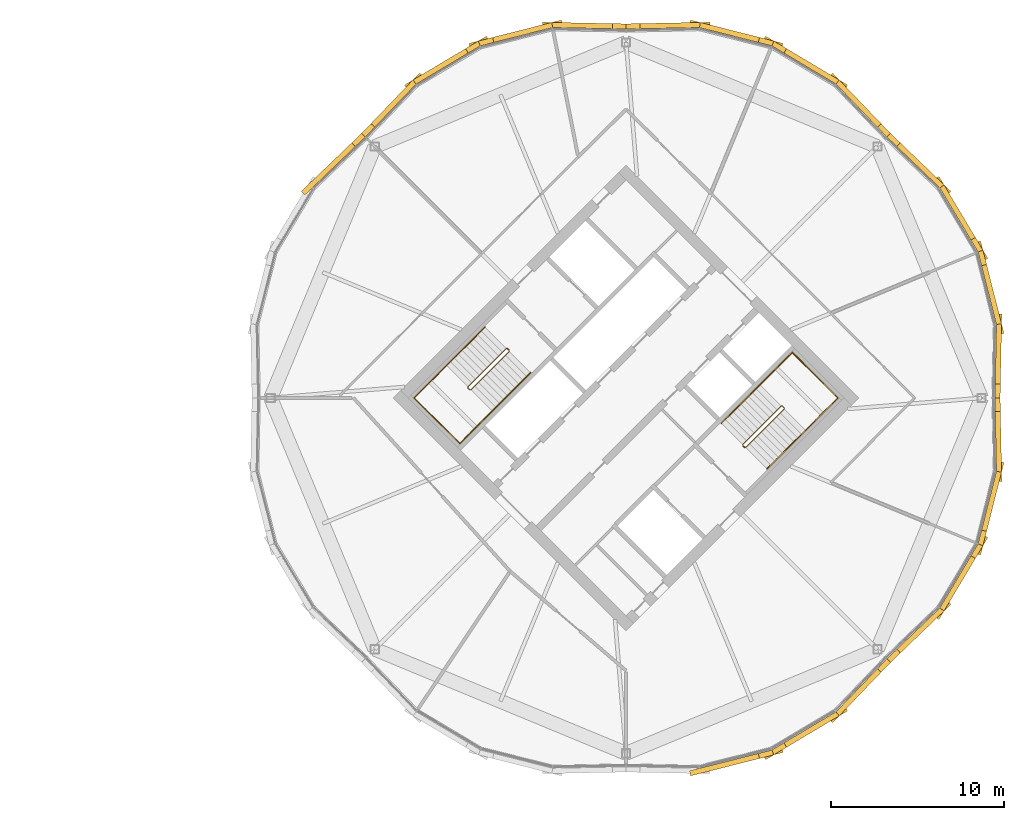
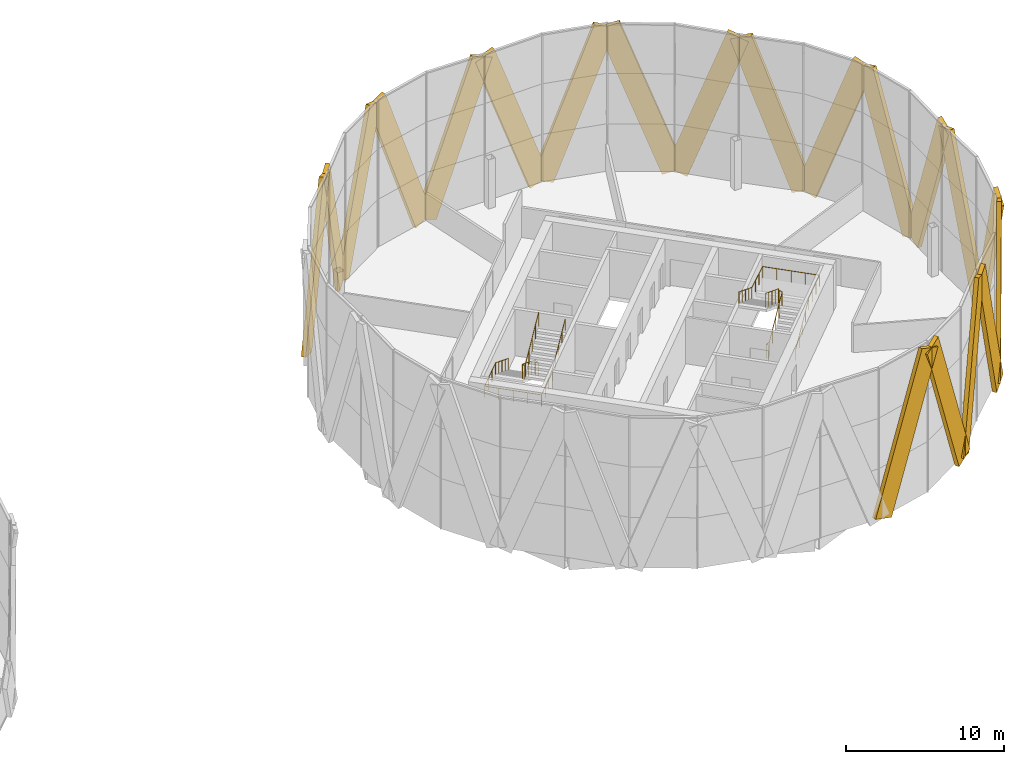
# One storey, part 25 of 25: 20 coverings, 4 railings.
"""IFC4 building model written with IfcOpenShell, lengths in metres."""

from ifc_helpers import new_model, si_unit, direction, frame, origin, origin_2d, place, context, subcontext, project, spatial, rectangle, circle, extrude, material, material_profile, profile_set, type_object, element, save


model = new_model("IFC4")

# Units and contexts
model_context = context("Model", 3, precision=1e-05, world=origin(), true_north=direction((0.0, 1.0)))
body_context = subcontext(model_context, "Body", "Model", "MODEL_VIEW")
ifc_project = project(units=[si_unit("LENGTHUNIT", "METRE"), si_unit("AREAUNIT", "SQUARE_METRE"), si_unit("VOLUMEUNIT", "CUBIC_METRE"), si_unit("PLANEANGLEUNIT", "RADIAN"), si_unit("MASSUNIT", "GRAM", prefix="KILO")], contexts=[model_context])

# Site, building, storey
site_placement = place(None, origin())
site = spatial("IfcSite", under=ifc_project, at=site_placement, CompositionType="ELEMENT")
building_placement = place(site_placement, origin())
building = spatial("IfcBuilding", under=site, at=building_placement, Name="Ogive Gate Towers", CompositionType="ELEMENT")
storey_placement = place(building_placement, frame((0.0, 0.0, 196.800048828125)))
storey = spatial("IfcBuildingStorey", under=building, at=storey_placement, Name="L47", CompositionType="ELEMENT", Elevation=196.800048828125)

# Coverings
ifc_material_1 = material(Name="Pale metal aluminium", Category="aluminium")
ifc_material_profile = material_profile(ifc_material_1, rectangle(XDim=0.300048828125, YDim=1.5, at=origin_2d()), Name="1500 x 300 pale metal aluminium")
ifc_profile_set = profile_set([ifc_material_profile], Name="Pale metal aluminium")
covering_type = type_object("IfcCoveringType", Name="Facade fin 1500 x 300", PredefinedType="CLADDING", material=ifc_profile_set)
covering_1_placement = place(storey_placement, frame((57.532958984375, 4.132568359375, -0.094970703125), z_axis=(-0.006811973686, -0.339942108534, 0.940421692572), x_axis=(0.999799287125, -0.020034606671, 0.0)))
element("IfcCovering", 1, at=covering_1_placement, inside=storey, type_object=covering_type, Name="Facade fin", PredefinedType="CLADDING", context=body_context, shape_type="SweptSolid", body=[
    extrude(rectangle(XDim=0.300048828125, YDim=1.5, at=origin_2d()), origin(), (0.0, 0.0, 1.0), 11.89892578125),
])
for number, where, z_axis, x_axis, name in (
    (2, (57.50439453125, 4.37744140625, -0.091796875), (-0.084441459094, 0.333789709417, 0.938857853923), (-0.969459384841, -0.24525191364, 0.0), "Facade fin"),
    (3, (54.301513671875, 12.110595703125, -0.091796875), (0.176302946418, -0.295730668898, 0.938861354278), (0.858944456599, 0.51206876538, 0.0), "Facade fin"),
):
    element("IfcCovering", number, at=place(storey_placement, frame(where, z_axis=z_axis, x_axis=x_axis)), inside=storey, type_object=covering_type, Name=name, PredefinedType="CLADDING", context=body_context, shape_type="SweptSolid", body=[
        extrude(rectangle(XDim=0.300048828125, YDim=1.5, at=origin_2d()), origin(), (0.0, 0.0, 1.0), 11.911865234375),
    ])
for number, where, z_axis, x_axis, name in (
    (4, (54.148193359375, 12.303955078125, -0.094970703125), (-0.245190839815, 0.235547350717, 0.940424849545), (-0.692783022466, -0.721146090458, 0.0), "Facade fin"),
    (5, (48.303955078125, 18.148193359375, -0.094970703125), (0.235547350717, -0.245190839815, 0.940424849545), (0.721146090458, 0.692783022466, 0.0), "Facade fin"),
):
    element("IfcCovering", number, at=place(storey_placement, frame(where, z_axis=z_axis, x_axis=x_axis)), inside=storey, type_object=covering_type, Name=name, PredefinedType="CLADDING", context=body_context, shape_type="SweptSolid", body=[
        extrude(rectangle(XDim=0.300048828125, YDim=1.5, at=origin_2d()), origin(), (0.0, 0.0, 1.0), 11.89892578125),
    ])
for number, where, z_axis, x_axis, name in (
    (6, (48.110595703125, 18.301513671875, -0.091796875), (-0.295730668898, 0.176302946418, 0.938861354278), (-0.51206876538, -0.858944456599, 0.0), "Facade fin"),
    (7, (40.37744140625, 21.50439453125, -0.091796875), (0.333789709417, -0.084441459094, 0.938857853923), (0.24525191364, 0.969459384841, 0.0), "Facade fin"),
):
    element("IfcCovering", number, at=place(storey_placement, frame(where, z_axis=z_axis, x_axis=x_axis)), inside=storey, type_object=covering_type, Name=name, PredefinedType="CLADDING", context=body_context, shape_type="SweptSolid", body=[
        extrude(rectangle(XDim=0.300048828125, YDim=1.5, at=origin_2d()), origin(), (0.0, 0.0, 1.0), 11.911865234375),
    ])
for number, where, z_axis, x_axis, name in (
    (8, (40.132568359375, 21.532958984375, -0.094970703125), (-0.339942108534, -0.006811973686, 0.940421692572), (0.020034606671, -0.999799287125, 0.0), "Facade fin"),
    (9, (31.867431640625, 21.532958984375, -0.094970703125), (0.339942108534, -0.006811973686, 0.940421692572), (0.020034606671, 0.999799287125, 0.0), "Facade fin"),
):
    element("IfcCovering", number, at=place(storey_placement, frame(where, z_axis=z_axis, x_axis=x_axis)), inside=storey, type_object=covering_type, Name=name, PredefinedType="CLADDING", context=body_context, shape_type="SweptSolid", body=[
        extrude(rectangle(XDim=0.300048828125, YDim=1.5, at=origin_2d()), origin(), (0.0, 0.0, 1.0), 11.89892578125),
    ])
for number, where, z_axis, x_axis, name in (
    (10, (31.62255859375, 21.50439453125, -0.091796875), (-0.333789709417, -0.084441459094, 0.938857853923), (0.24525191364, -0.969459384841, 0.0), "Facade fin"),
    (11, (23.889404296875, 18.301513671875, -0.091796875), (0.295730668898, 0.176302946418, 0.938861354278), (-0.51206876538, 0.858944456599, 0.0), "Facade fin"),
):
    element("IfcCovering", number, at=place(storey_placement, frame(where, z_axis=z_axis, x_axis=x_axis)), inside=storey, type_object=covering_type, Name=name, PredefinedType="CLADDING", context=body_context, shape_type="SweptSolid", body=[
        extrude(rectangle(XDim=0.300048828125, YDim=1.5, at=origin_2d()), origin(), (0.0, 0.0, 1.0), 11.911865234375),
    ])
for number, where, z_axis, x_axis, name in (
    (12, (23.696044921875, 18.148193359375, -0.094970703125), (-0.235547350717, -0.245190839815, 0.940424849545), (0.721146090458, -0.692783022466, 0.0), "Facade fin"),
    (13, (17.851806640625, 12.303955078125, -0.094970703125), (0.245190839815, 0.235547350717, 0.940424849545), (-0.692783022466, 0.721146090458, 0.0), "Facade fin"),
):
    element("IfcCovering", number, at=place(storey_placement, frame(where, z_axis=z_axis, x_axis=x_axis)), inside=storey, type_object=covering_type, Name=name, PredefinedType="CLADDING", context=body_context, shape_type="SweptSolid", body=[
        extrude(rectangle(XDim=0.300048828125, YDim=1.5, at=origin_2d()), origin(), (0.0, 0.0, 1.0), 11.89892578125),
    ])
for number, where, z_axis, x_axis, name in (
    (14, (40.37744140625, -21.50439453125, -0.091796875), (0.333789709417, 0.084441459094, 0.938857853923), (-0.24525191364, 0.969459384841, 0.0), "Facade fin"),
    (15, (48.110595703125, -18.301513671875, -0.091796875), (-0.295730668898, -0.176302946418, 0.938861354278), (0.51206876538, -0.858944456599, 0.0), "Facade fin"),
):
    element("IfcCovering", number, at=place(storey_placement, frame(where, z_axis=z_axis, x_axis=x_axis)), inside=storey, type_object=covering_type, Name=name, PredefinedType="CLADDING", context=body_context, shape_type="SweptSolid", body=[
        extrude(rectangle(XDim=0.300048828125, YDim=1.5, at=origin_2d()), origin(), (0.0, 0.0, 1.0), 11.911865234375),
    ])
for number, where, z_axis, x_axis, name in (
    (16, (48.303955078125, -18.148193359375, -0.094970703125), (0.235547350717, 0.245190839815, 0.940424849545), (-0.721146090458, 0.692783022466, 0.0), "Facade fin"),
    (17, (54.148193359375, -12.303955078125, -0.094970703125), (-0.245190839815, -0.235547350717, 0.940424849545), (0.692783022466, -0.721146090458, 0.0), "Facade fin"),
):
    element("IfcCovering", number, at=place(storey_placement, frame(where, z_axis=z_axis, x_axis=x_axis)), inside=storey, type_object=covering_type, Name=name, PredefinedType="CLADDING", context=body_context, shape_type="SweptSolid", body=[
        extrude(rectangle(XDim=0.300048828125, YDim=1.5, at=origin_2d()), origin(), (0.0, 0.0, 1.0), 11.89892578125),
    ])
for number, where, z_axis, x_axis, name in (
    (18, (54.301513671875, -12.110595703125, -0.091796875), (0.176302946418, 0.295730668898, 0.938861354278), (-0.858944456599, 0.51206876538, 0.0), "Facade fin"),
    (19, (57.50439453125, -4.37744140625, -0.091796875), (-0.084441459094, -0.333789709417, 0.938857853923), (0.969459384841, -0.24525191364, 0.0), "Facade fin"),
):
    element("IfcCovering", number, at=place(storey_placement, frame(where, z_axis=z_axis, x_axis=x_axis)), inside=storey, type_object=covering_type, Name=name, PredefinedType="CLADDING", context=body_context, shape_type="SweptSolid", body=[
        extrude(rectangle(XDim=0.300048828125, YDim=1.5, at=origin_2d()), origin(), (0.0, 0.0, 1.0), 11.911865234375),
    ])
covering_2_placement = place(storey_placement, frame((57.532958984375, -4.132568359375, -0.094970703125), z_axis=(-0.006811973686, 0.339942108534, 0.940421692572), x_axis=(-0.999799287125, -0.020034606671, 0.0)))
element("IfcCovering", 20, at=covering_2_placement, inside=storey, type_object=covering_type, Name="Facade fin", PredefinedType="CLADDING", context=body_context, shape_type="SweptSolid", body=[
    extrude(rectangle(XDim=0.300048828125, YDim=1.5, at=origin_2d()), origin(), (0.0, 0.0, 1.0), 11.89892578125),
])

# Railings
ifc_material_2 = material(Name="Stainless steel", Category="steel")
railing_type_1 = type_object("IfcRailingType", Name="Stair guard 1100", PredefinedType="GUARDRAIL", material=ifc_material_2)
railing_1_placement = place(storey_placement, frame((29.15869140625, 2.8603515625, 0.0)))
element("IfcRailing", 21, at=railing_1_placement, inside=storey, type_object=railing_type_1, Name="L47 ST1 stair guard 1", PredefinedType="GUARDRAIL", context=body_context, shape_type="SweptSolid", body=[
    extrude(circle(Radius=0.02392578125, at=origin_2d()), frame((0.0, 0.0, 1.076171875), z_axis=(0.707106781187, -0.707106781187, 0.0), x_axis=(0.707106781187, 0.707106781187, 0.0)), (0.0, 0.0, 1.0), 0.14501953125),
    extrude(circle(Radius=0.02392578125, at=origin_2d()), frame((0.1025390625, -0.1025390625, 1.076171875), z_axis=(-0.645571447971, 0.382425963537, 0.661050594114), x_axis=(-0.509669330572, -0.860370369942, 0.0)), (0.0, 0.0, 1.0), 0.26806640625),
    extrude(circle(Radius=0.02392578125, at=origin_2d()), frame((-0.070556640625, 0.0, 1.25341796875), z_axis=(-0.61558473135, -0.61558473135, 0.49204763698), x_axis=(0.707106781187, -0.707106781187, 0.0)), (0.0, 0.0, 1.0), 3.602783203125),
    extrude(circle(Radius=0.02392578125, at=origin_2d()), frame((-2.288330078125, -2.2177734375, 3.02587890625), z_axis=(0.0, -1.0, 0.0), x_axis=(1.0, 0.0, 0.0)), (0.0, 0.0, 1.0), 0.07080078125),
    extrude(circle(Radius=0.02392578125, at=origin_2d()), frame((-2.288330078125, -2.28857421875, 3.02587890625), z_axis=(0.707106781187, -0.707106781187, 0.0), x_axis=(0.707106781187, 0.707106781187, 0.0)), (0.0, 0.0, 1.0), 0.14501953125),
    extrude(circle(Radius=0.02392578125, at=origin_2d()), frame((-2.185791015625, -2.39111328125, 3.02587890625), z_axis=(0.369845645421, 0.0, 0.929093213065), x_axis=(0.0, 1.0, 0.0)), (0.0, 0.0, 1.0), 0.190673828125),
    extrude(circle(Radius=0.02392578125, at=origin_2d()), frame((-2.115234375, -2.39111328125, 3.203125), z_axis=(0.61558473135, 0.61558473135, 0.49204763698), x_axis=(-0.707106781187, 0.707106781187, 0.0)), (0.0, 0.0, 1.0), 3.602783203125),
    extrude(circle(Radius=0.02099609375, at=origin_2d()), origin(), (0.0, 0.0, 1.0), 1.052001953125),
    extrude(circle(Radius=0.02099609375, at=origin_2d()), frame((0.1025390625, -0.1025390625, 0.0)), (0.0, 0.0, 1.0), 1.052001953125),
    extrude(circle(Radius=0.02099609375, at=origin_2d()), frame((-0.070556640625, 0.0, 0.17724609375)), (0.0, 0.0, 1.0), 1.052001953125),
    extrude(circle(Radius=0.02099609375, at=origin_2d()), frame((-0.625, -0.554443359375, 0.620361328125)), (0.0, 0.0, 1.0), 1.052001953125),
    extrude(circle(Radius=0.02099609375, at=origin_2d()), frame((-1.179443359375, -1.10888671875, 1.0634765625)), (0.0, 0.0, 1.0), 1.052001953125),
    extrude(circle(Radius=0.02099609375, at=origin_2d()), frame((-1.73388671875, -1.663330078125, 1.5068359375)), (0.0, 0.0, 1.0), 1.052001953125),
    extrude(circle(Radius=0.02099609375, at=origin_2d()), frame((-2.288330078125, -2.2177734375, 1.949951171875)), (0.0, 0.0, 1.0), 1.052001953125),
    extrude(circle(Radius=0.02099609375, at=origin_2d()), frame((-2.288330078125, -2.28857421875, 1.949951171875)), (0.0, 0.0, 1.0), 1.052001953125),
    extrude(circle(Radius=0.02099609375, at=origin_2d()), frame((-2.185791015625, -2.39111328125, 1.949951171875)), (0.0, 0.0, 1.0), 1.052001953125),
    extrude(circle(Radius=0.02099609375, at=origin_2d()), frame((-2.115234375, -2.39111328125, 2.127197265625)), (0.0, 0.0, 1.0), 1.052001953125),
    extrude(circle(Radius=0.02099609375, at=origin_2d()), frame((-1.560791015625, -1.836669921875, 2.5703125)), (0.0, 0.0, 1.0), 1.052001953125),
    extrude(circle(Radius=0.02099609375, at=origin_2d()), frame((-1.00634765625, -1.2822265625, 3.013671875)), (0.0, 0.0, 1.0), 1.052001953125),
    extrude(circle(Radius=0.02099609375, at=origin_2d()), frame((-0.451904296875, -0.727783203125, 3.456787109375)), (0.0, 0.0, 1.0), 1.052001953125),
    extrude(circle(Radius=0.02099609375, at=origin_2d()), frame((0.1025390625, -0.17333984375, 3.89990234375)), (0.0, 0.0, 1.0), 1.052001953125),
])
railing_2_placement = place(storey_placement, frame((42.84130859375, -2.8603515625, 0.0)))
element("IfcRailing", 22, at=railing_2_placement, inside=storey, type_object=railing_type_1, Name="L47 ST2 stair guard 1", PredefinedType="GUARDRAIL", context=body_context, shape_type="SweptSolid", body=[
    extrude(circle(Radius=0.02392578125, at=origin_2d()), frame((0.0, 0.0, 1.076171875), z_axis=(-0.707106781187, 0.707106781187, 0.0), x_axis=(-0.707106781187, -0.707106781187, 0.0)), (0.0, 0.0, 1.0), 0.14501953125),
    extrude(circle(Radius=0.02392578125, at=origin_2d()), frame((-0.1025390625, 0.1025390625, 1.076171875), z_axis=(0.645571447971, -0.382425963537, 0.661050594114), x_axis=(0.509669330572, 0.860370369942, 0.0)), (0.0, 0.0, 1.0), 0.26806640625),
    extrude(circle(Radius=0.02392578125, at=origin_2d()), frame((0.070556640625, 0.0, 1.25341796875), z_axis=(0.61558473135, 0.61558473135, 0.49204763698), x_axis=(-0.707106781187, 0.707106781187, 0.0)), (0.0, 0.0, 1.0), 3.602783203125),
    extrude(circle(Radius=0.02392578125, at=origin_2d()), frame((2.288330078125, 2.2177734375, 3.02587890625), z_axis=(0.0, 1.0, 0.0), x_axis=(-1.0, 0.0, 0.0)), (0.0, 0.0, 1.0), 0.07080078125),
    extrude(circle(Radius=0.02392578125, at=origin_2d()), frame((2.288330078125, 2.28857421875, 3.02587890625), z_axis=(-0.707106781187, 0.707106781187, 0.0), x_axis=(-0.707106781187, -0.707106781187, 0.0)), (0.0, 0.0, 1.0), 0.14501953125),
    extrude(circle(Radius=0.02392578125, at=origin_2d()), frame((2.185791015625, 2.39111328125, 3.02587890625), z_axis=(-0.369845645421, 0.0, 0.929093213065), x_axis=(0.0, -1.0, 0.0)), (0.0, 0.0, 1.0), 0.190673828125),
    extrude(circle(Radius=0.02392578125, at=origin_2d()), frame((2.115234375, 2.39111328125, 3.203125), z_axis=(-0.61558473135, -0.61558473135, 0.49204763698), x_axis=(0.707106781187, -0.707106781187, 0.0)), (0.0, 0.0, 1.0), 3.602783203125),
    extrude(circle(Radius=0.02099609375, at=origin_2d()), origin(), (0.0, 0.0, 1.0), 1.052001953125),
    extrude(circle(Radius=0.02099609375, at=origin_2d()), frame((-0.1025390625, 0.1025390625, 0.0)), (0.0, 0.0, 1.0), 1.052001953125),
    extrude(circle(Radius=0.02099609375, at=origin_2d()), frame((0.070556640625, 0.0, 0.17724609375)), (0.0, 0.0, 1.0), 1.052001953125),
    extrude(circle(Radius=0.02099609375, at=origin_2d()), frame((0.625, 0.554443359375, 0.620361328125)), (0.0, 0.0, 1.0), 1.052001953125),
    extrude(circle(Radius=0.02099609375, at=origin_2d()), frame((1.179443359375, 1.10888671875, 1.0634765625)), (0.0, 0.0, 1.0), 1.052001953125),
    extrude(circle(Radius=0.02099609375, at=origin_2d()), frame((1.73388671875, 1.663330078125, 1.5068359375)), (0.0, 0.0, 1.0), 1.052001953125),
    extrude(circle(Radius=0.02099609375, at=origin_2d()), frame((2.288330078125, 2.2177734375, 1.949951171875)), (0.0, 0.0, 1.0), 1.052001953125),
    extrude(circle(Radius=0.02099609375, at=origin_2d()), frame((2.288330078125, 2.28857421875, 1.949951171875)), (0.0, 0.0, 1.0), 1.052001953125),
    extrude(circle(Radius=0.02099609375, at=origin_2d()), frame((2.185791015625, 2.39111328125, 1.949951171875)), (0.0, 0.0, 1.0), 1.052001953125),
    extrude(circle(Radius=0.02099609375, at=origin_2d()), frame((2.115234375, 2.39111328125, 2.127197265625)), (0.0, 0.0, 1.0), 1.052001953125),
    extrude(circle(Radius=0.02099609375, at=origin_2d()), frame((1.560791015625, 1.836669921875, 2.5703125)), (0.0, 0.0, 1.0), 1.052001953125),
    extrude(circle(Radius=0.02099609375, at=origin_2d()), frame((1.00634765625, 1.2822265625, 3.013671875)), (0.0, 0.0, 1.0), 1.052001953125),
    extrude(circle(Radius=0.02099609375, at=origin_2d()), frame((0.451904296875, 0.727783203125, 3.456787109375)), (0.0, 0.0, 1.0), 1.052001953125),
    extrude(circle(Radius=0.02099609375, at=origin_2d()), frame((-0.1025390625, 0.17333984375, 3.89990234375)), (0.0, 0.0, 1.0), 1.052001953125),
])
railing_type_2 = type_object("IfcRailingType", Name="Stair handrail 900", PredefinedType="HANDRAIL", material=ifc_material_2)
railing_3_placement = place(storey_placement, frame((27.857666015625, 4.090576171875, 0.17724609375)))
element("IfcRailing", 23, at=railing_3_placement, inside=storey, type_object=railing_type_2, Name="L47 ST1 stair handrail 1", PredefinedType="HANDRAIL", context=body_context, shape_type="SweptSolid", body=[
    extrude(circle(Radius=0.02392578125, at=origin_2d()), frame((0.0, 0.0, 0.8759765625), z_axis=(-0.61558473135, -0.61558473135, 0.49204763698), x_axis=(0.707106781187, -0.707106781187, 0.0)), (0.0, 0.0, 1.0), 3.602783203125),
    extrude(circle(Radius=0.02392578125, at=origin_2d()), frame((-2.2177734375, -2.2177734375, 2.6484375), z_axis=(-0.707106781187, -0.707106781187, 0.0), x_axis=(0.707106781187, -0.707106781187, 0.0)), (0.0, 0.0, 1.0), 2.6484375),
    extrude(circle(Radius=0.02392578125, at=origin_2d()), frame((-4.090576171875, -4.090576171875, 2.6484375), z_axis=(0.707106781187, -0.707106781187, 0.0), x_axis=(0.707106781187, 0.707106781187, 0.0)), (0.0, 0.0, 1.0), 3.72509765625),
    extrude(circle(Radius=0.02392578125, at=origin_2d()), frame((-1.45654296875, -6.724609375, 2.6484375), z_axis=(0.705482886452, 0.705574853978, 0.066768423356), x_axis=(-0.70715286629, 0.70706069308, 0.0)), (0.0, 0.0, 1.0), 2.654541015625),
    extrude(circle(Radius=0.02392578125, at=origin_2d()), frame((0.416259765625, -4.8515625, 2.82568359375), z_axis=(0.615610411033, 0.615542642384, 0.4920681632), x_axis=(-0.70706785752, 0.70714570271, 0.0)), (0.0, 0.0, 1.0), 3.6025390625),
    extrude(circle(Radius=0.02099609375, at=origin_2d()), origin(), (0.0, 0.0, 1.0), 0.851806640625),
    extrude(circle(Radius=0.02099609375, at=origin_2d()), frame((-0.554443359375, -0.554443359375, 0.443115234375)), (0.0, 0.0, 1.0), 0.851806640625),
    extrude(circle(Radius=0.02099609375, at=origin_2d()), frame((-1.10888671875, -1.10888671875, 0.88623046875)), (0.0, 0.0, 1.0), 0.851806640625),
    extrude(circle(Radius=0.02099609375, at=origin_2d()), frame((-1.663330078125, -1.663330078125, 1.32958984375)), (0.0, 0.0, 1.0), 0.851806640625),
    extrude(circle(Radius=0.02099609375, at=origin_2d()), frame((-2.2177734375, -2.2177734375, 1.772705078125)), (0.0, 0.0, 1.0), 0.851806640625),
    extrude(circle(Radius=0.02099609375, at=origin_2d()), frame((-2.842041015625, -2.842041015625, 1.772705078125)), (0.0, 0.0, 1.0), 0.851806640625),
    extrude(circle(Radius=0.02099609375, at=origin_2d()), frame((-3.46630859375, -3.46630859375, 1.772705078125)), (0.0, 0.0, 1.0), 0.851806640625),
    extrude(circle(Radius=0.02099609375, at=origin_2d()), frame((-4.090576171875, -4.090576171875, 1.772705078125)), (0.0, 0.0, 1.0), 0.851806640625),
    extrude(circle(Radius=0.02099609375, at=origin_2d()), frame((-3.43212890625, -4.7490234375, 1.772705078125)), (0.0, 0.0, 1.0), 0.851806640625),
    extrude(circle(Radius=0.02099609375, at=origin_2d()), frame((-2.7734375, -5.40771484375, 1.772705078125)), (0.0, 0.0, 1.0), 0.851806640625),
    extrude(circle(Radius=0.02099609375, at=origin_2d()), frame((-2.114990234375, -6.066162109375, 1.772705078125)), (0.0, 0.0, 1.0), 0.851806640625),
    extrude(circle(Radius=0.02099609375, at=origin_2d()), frame((-1.45654296875, -6.724609375, 1.772705078125)), (0.0, 0.0, 1.0), 0.851806640625),
    extrude(circle(Radius=0.02099609375, at=origin_2d()), frame((-0.832275390625, -6.100341796875, 1.831787109375)), (0.0, 0.0, 1.0), 0.851806640625),
    extrude(circle(Radius=0.02099609375, at=origin_2d()), frame((-0.2080078125, -5.475830078125, 1.890869140625)), (0.0, 0.0, 1.0), 0.851806640625),
    extrude(circle(Radius=0.02099609375, at=origin_2d()), frame((0.416259765625, -4.8515625, 1.949951171875)), (0.0, 0.0, 1.0), 0.851806640625),
    extrude(circle(Radius=0.02099609375, at=origin_2d()), frame((0.970703125, -4.297119140625, 2.39306640625)), (0.0, 0.0, 1.0), 0.851806640625),
    extrude(circle(Radius=0.02099609375, at=origin_2d()), frame((1.525146484375, -3.74267578125, 2.83642578125)), (0.0, 0.0, 1.0), 0.851806640625),
    extrude(circle(Radius=0.02099609375, at=origin_2d()), frame((2.07958984375, -3.1884765625, 3.279541015625)), (0.0, 0.0, 1.0), 0.851806640625),
    extrude(circle(Radius=0.02099609375, at=origin_2d()), frame((2.634033203125, -2.634033203125, 3.72265625)), (0.0, 0.0, 1.0), 0.851806640625),
])
railing_4_placement = place(storey_placement, frame((44.142333984375, -4.090576171875, 0.17724609375)))
element("IfcRailing", 24, at=railing_4_placement, inside=storey, type_object=railing_type_2, Name="L47 ST2 stair handrail 1", PredefinedType="HANDRAIL", context=body_context, shape_type="SweptSolid", body=[
    extrude(circle(Radius=0.02392578125, at=origin_2d()), frame((0.0, 0.0, 0.8759765625), z_axis=(0.61558473135, 0.61558473135, 0.49204763698), x_axis=(-0.707106781187, 0.707106781187, 0.0)), (0.0, 0.0, 1.0), 3.602783203125),
    extrude(circle(Radius=0.02392578125, at=origin_2d()), frame((2.2177734375, 2.2177734375, 2.6484375), z_axis=(0.707106781187, 0.707106781187, 0.0), x_axis=(-0.707106781187, 0.707106781187, 0.0)), (0.0, 0.0, 1.0), 2.6484375),
    extrude(circle(Radius=0.02392578125, at=origin_2d()), frame((4.090576171875, 4.090576171875, 2.6484375), z_axis=(-0.707106781187, 0.707106781187, 0.0), x_axis=(-0.707106781187, -0.707106781187, 0.0)), (0.0, 0.0, 1.0), 3.72509765625),
    extrude(circle(Radius=0.02392578125, at=origin_2d()), frame((1.45654296875, 6.724609375, 2.6484375), z_axis=(-0.705482886452, -0.705574853978, 0.066768423356), x_axis=(0.70715286629, -0.70706069308, 0.0)), (0.0, 0.0, 1.0), 2.654541015625),
    extrude(circle(Radius=0.02392578125, at=origin_2d()), frame((-0.416259765625, 4.8515625, 2.82568359375), z_axis=(-0.615610411033, -0.615542642384, 0.4920681632), x_axis=(0.70706785752, -0.70714570271, 0.0)), (0.0, 0.0, 1.0), 3.6025390625),
    extrude(circle(Radius=0.02099609375, at=origin_2d()), origin(), (0.0, 0.0, 1.0), 0.851806640625),
    extrude(circle(Radius=0.02099609375, at=origin_2d()), frame((0.554443359375, 0.554443359375, 0.443115234375)), (0.0, 0.0, 1.0), 0.851806640625),
    extrude(circle(Radius=0.02099609375, at=origin_2d()), frame((1.10888671875, 1.10888671875, 0.88623046875)), (0.0, 0.0, 1.0), 0.851806640625),
    extrude(circle(Radius=0.02099609375, at=origin_2d()), frame((1.663330078125, 1.663330078125, 1.32958984375)), (0.0, 0.0, 1.0), 0.851806640625),
    extrude(circle(Radius=0.02099609375, at=origin_2d()), frame((2.2177734375, 2.2177734375, 1.772705078125)), (0.0, 0.0, 1.0), 0.851806640625),
    extrude(circle(Radius=0.02099609375, at=origin_2d()), frame((2.842041015625, 2.842041015625, 1.772705078125)), (0.0, 0.0, 1.0), 0.851806640625),
    extrude(circle(Radius=0.02099609375, at=origin_2d()), frame((3.46630859375, 3.46630859375, 1.772705078125)), (0.0, 0.0, 1.0), 0.851806640625),
    extrude(circle(Radius=0.02099609375, at=origin_2d()), frame((4.090576171875, 4.090576171875, 1.772705078125)), (0.0, 0.0, 1.0), 0.851806640625),
    extrude(circle(Radius=0.02099609375, at=origin_2d()), frame((3.43212890625, 4.7490234375, 1.772705078125)), (0.0, 0.0, 1.0), 0.851806640625),
    extrude(circle(Radius=0.02099609375, at=origin_2d()), frame((2.7734375, 5.40771484375, 1.772705078125)), (0.0, 0.0, 1.0), 0.851806640625),
    extrude(circle(Radius=0.02099609375, at=origin_2d()), frame((2.114990234375, 6.066162109375, 1.772705078125)), (0.0, 0.0, 1.0), 0.851806640625),
    extrude(circle(Radius=0.02099609375, at=origin_2d()), frame((1.45654296875, 6.724609375, 1.772705078125)), (0.0, 0.0, 1.0), 0.851806640625),
    extrude(circle(Radius=0.02099609375, at=origin_2d()), frame((0.832275390625, 6.100341796875, 1.831787109375)), (0.0, 0.0, 1.0), 0.851806640625),
    extrude(circle(Radius=0.02099609375, at=origin_2d()), frame((0.2080078125, 5.475830078125, 1.890869140625)), (0.0, 0.0, 1.0), 0.851806640625),
    extrude(circle(Radius=0.02099609375, at=origin_2d()), frame((-0.416259765625, 4.8515625, 1.949951171875)), (0.0, 0.0, 1.0), 0.851806640625),
    extrude(circle(Radius=0.02099609375, at=origin_2d()), frame((-0.970703125, 4.297119140625, 2.39306640625)), (0.0, 0.0, 1.0), 0.851806640625),
    extrude(circle(Radius=0.02099609375, at=origin_2d()), frame((-1.525146484375, 3.74267578125, 2.83642578125)), (0.0, 0.0, 1.0), 0.851806640625),
    extrude(circle(Radius=0.02099609375, at=origin_2d()), frame((-2.07958984375, 3.1884765625, 3.279541015625)), (0.0, 0.0, 1.0), 0.851806640625),
    extrude(circle(Radius=0.02099609375, at=origin_2d()), frame((-2.634033203125, 2.634033203125, 3.72265625)), (0.0, 0.0, 1.0), 0.851806640625),
])

save(model, "model.ifc")
